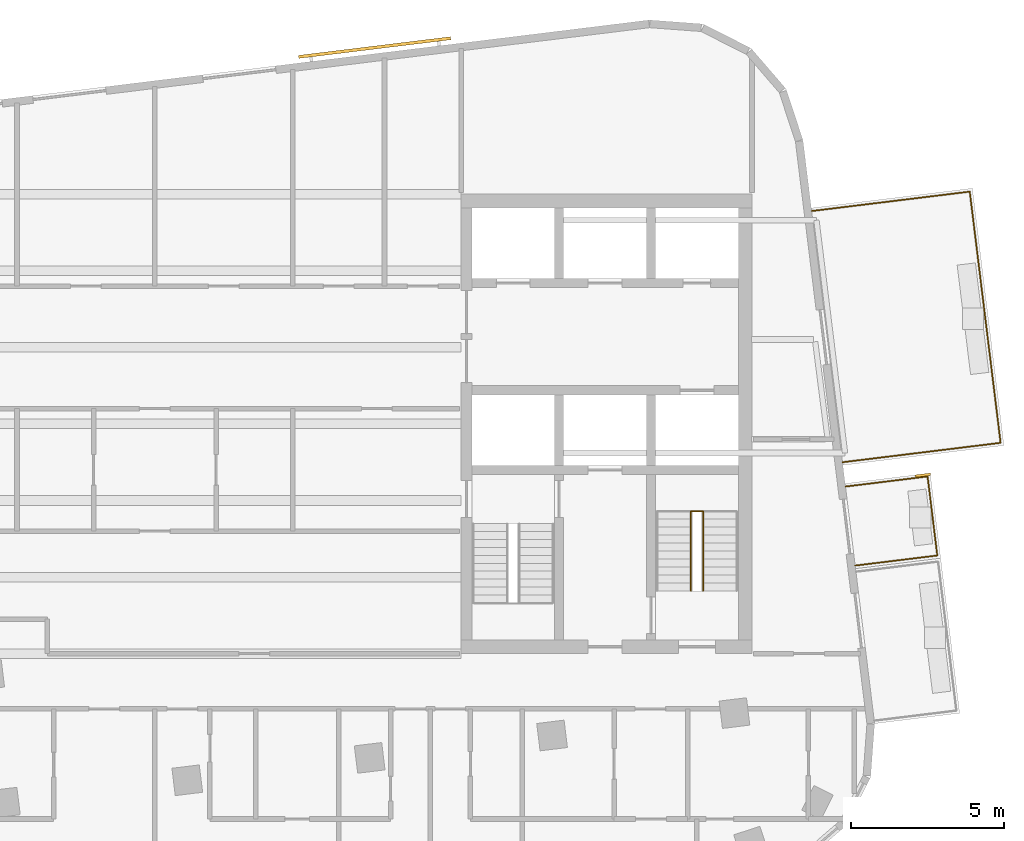
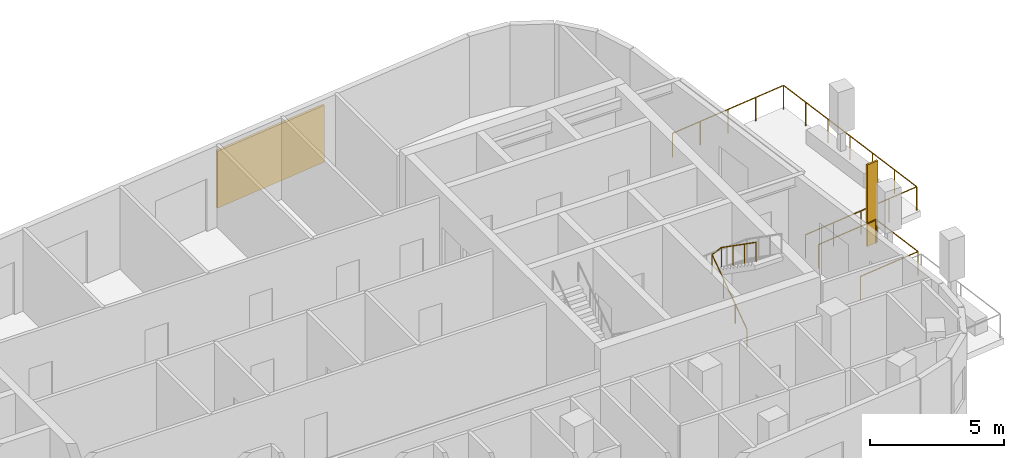
# One storey, part 10 of 11: 3 railings, 2 shading devices.
"""IFC4 building model written with IfcOpenShell, lengths in metres."""

from ifc_helpers import new_model, si_unit, direction, frame, origin, origin_2d, place, context, subcontext, project, spatial, rectangle, circle, extrude, material, layer, layer_set, type_object, element, save


model = new_model("IFC4")

# Units and contexts
model_context = context("Model", 3, precision=1e-05, world=origin(), true_north=direction((0.0, 1.0)))
body_context = subcontext(model_context, "Body", "Model", "MODEL_VIEW")
ifc_project = project(units=[si_unit("LENGTHUNIT", "METRE"), si_unit("AREAUNIT", "SQUARE_METRE"), si_unit("VOLUMEUNIT", "CUBIC_METRE"), si_unit("PLANEANGLEUNIT", "RADIAN"), si_unit("MASSUNIT", "GRAM", prefix="KILO")], contexts=[model_context])

# Site, building, storey
site_placement = place(None, origin())
site = spatial("IfcSite", under=ifc_project, at=site_placement, CompositionType="ELEMENT")
building_placement = place(site_placement, origin())
building = spatial("IfcBuilding", under=site, at=building_placement, Name="Torana Hotel and Residences", CompositionType="ELEMENT")
storey_placement = place(building_placement, frame((0.0, 0.0, 326.60009765625)))
storey = spatial("IfcBuildingStorey", under=building, at=storey_placement, Name="L86", CompositionType="ELEMENT", Elevation=326.60009765625)

# Shading device
ifc_material_1 = material(Name="Black powder coated aluminium", Category="aluminium")
ifc_layer_1 = layer(ifc_material_1, 0.080078125)
ifc_layer_set_1 = layer_set([ifc_layer_1], Name="FN1 VERTICAL FIN 500x80")
shading_device_type_1 = type_object("IfcShadingDeviceType", Name="FN1 VERTICAL FIN 500x80", PredefinedType="USERDEFINED", material=ifc_layer_set_1)
shading_device_1_placement = place(storey_placement, frame((25.075439453125, -9.17431640625, 0.0), z_axis=(0.0, 0.0, 1.0), x_axis=(0.121867611085, -0.992546364342, 0.0)))
element("IfcShadingDevice", 1, at=shading_device_1_placement, inside=storey, type_object=shading_device_type_1, Name="Fin 11", ObjectType="FIN", PredefinedType="USERDEFINED", context=body_context, shape_type="SweptSolid", body=[
    extrude(rectangle(XDim=0.080078125, YDim=0.5, at=origin_2d()), origin(), (0.0, 0.0, 1.0), 3.719970703125),
])

# Railings
ifc_material_2 = material(Name="Laminated glass balustrade with black handrail", Category="glass")
railing_type_1 = type_object("IfcRailingType", Name="GR1 BALCONY GUARD 1100 GLASS", PredefinedType="GUARDRAIL", material=ifc_material_2)
railing_1_placement = place(storey_placement, frame((22.5517578125, -9.544921875, 0.0)))
element("IfcRailing", 2, at=railing_1_placement, inside=storey, type_object=railing_type_1, Name="Balcony guard 11", PredefinedType="GUARDRAIL", context=body_context, shape_type="SweptSolid", body=[
    extrude(circle(Radius=0.02392578125, at=origin_2d()), frame((0.0, 0.0, 1.076171875), z_axis=(0.992544031017, 0.121886613265, 0.0), x_axis=(-0.121886613265, 0.992544031017, 0.0)), (0.0, 0.0, 1.0), 2.699951171875),
    extrude(circle(Radius=0.02392578125, at=origin_2d()), frame((2.679931640625, 0.3291015625, 1.076171875), z_axis=(0.121803653798, -0.992554215104, 0.0), x_axis=(0.992554215104, 0.121803653798, 0.0)), (0.0, 0.0, 1.0), 2.599609375),
    extrude(circle(Radius=0.02392578125, at=origin_2d()), frame((2.99658203125, -2.251220703125, 1.076171875), z_axis=(-0.992554965996, -0.121797534772, 0.0), x_axis=(0.121797534772, -0.992554965996, 0.0)), (0.0, 0.0, 1.0), 2.699951171875),
    extrude(circle(Radius=0.02099609375, at=origin_2d()), origin(), (0.0, 0.0, 1.0), 1.052001953125),
    extrude(circle(Radius=0.02099609375, at=origin_2d()), frame((2.679931640625, 0.3291015625, 0.0)), (0.0, 0.0, 1.0), 1.052001953125),
    extrude(circle(Radius=0.02099609375, at=origin_2d()), frame((2.99658203125, -2.251220703125, 0.0)), (0.0, 0.0, 1.0), 1.052001953125),
    extrude(circle(Radius=0.02099609375, at=origin_2d()), frame((0.316650390625, -2.580078125, 0.0)), (0.0, 0.0, 1.0), 1.052001953125),
])
railing_2_placement = place(storey_placement, frame((21.447265625, -0.54931640625, 0.0)))
element("IfcRailing", 3, at=railing_2_placement, inside=storey, type_object=railing_type_1, Name="Balcony guard 12", PredefinedType="GUARDRAIL", context=body_context, shape_type="SweptSolid", body=[
    extrude(circle(Radius=0.02392578125, at=origin_2d()), frame((0.0, 0.0, 1.076171875), z_axis=(0.992544252483, 0.121884809813, 0.0), x_axis=(-0.121884809813, 0.992544252483, 0.0)), (0.0, 0.0, 1.0), 5.199951171875),
    extrude(circle(Radius=0.02392578125, at=origin_2d()), frame((5.1611328125, 0.6337890625, 1.076171875), z_axis=(0.121878024543, -0.992545085693, 0.0), x_axis=(0.992545085693, 0.121878024543, 0.0)), (0.0, 0.0, 1.0), 8.262939453125),
    extrude(circle(Radius=0.02392578125, at=origin_2d()), frame((6.168212890625, -7.567626953125, 1.076171875), z_axis=(-0.992544949934, -0.121879130128, 0.0), x_axis=(0.121879130128, -0.992544949934, 0.0)), (0.0, 0.0, 1.0), 5.2001953125),
    extrude(circle(Radius=0.02099609375, at=origin_2d()), origin(), (0.0, 0.0, 1.0), 1.052001953125),
    extrude(circle(Radius=0.02099609375, at=origin_2d()), frame((1.290283203125, 0.158447265625, 0.0)), (0.0, 0.0, 1.0), 1.052001953125),
    extrude(circle(Radius=0.02099609375, at=origin_2d()), frame((2.58056640625, 0.31689453125, 0.0)), (0.0, 0.0, 1.0), 1.052001953125),
    extrude(circle(Radius=0.02099609375, at=origin_2d()), frame((3.870849609375, 0.475341796875, 0.0)), (0.0, 0.0, 1.0), 1.052001953125),
    extrude(circle(Radius=0.02099609375, at=origin_2d()), frame((5.1611328125, 0.6337890625, 0.0)), (0.0, 0.0, 1.0), 1.052001953125),
    extrude(circle(Radius=0.02099609375, at=origin_2d()), frame((5.3291015625, -0.733154296875, 0.0)), (0.0, 0.0, 1.0), 1.052001953125),
    extrude(circle(Radius=0.02099609375, at=origin_2d()), frame((5.496826171875, -2.10009765625, 0.0)), (0.0, 0.0, 1.0), 1.052001953125),
    extrude(circle(Radius=0.02099609375, at=origin_2d()), frame((5.66455078125, -3.466796875, 0.0)), (0.0, 0.0, 1.0), 1.052001953125),
    extrude(circle(Radius=0.02099609375, at=origin_2d()), frame((5.83251953125, -4.833740234375, 0.0)), (0.0, 0.0, 1.0), 1.052001953125),
    extrude(circle(Radius=0.02099609375, at=origin_2d()), frame((6.00048828125, -6.20068359375, 0.0)), (0.0, 0.0, 1.0), 1.052001953125),
    extrude(circle(Radius=0.02099609375, at=origin_2d()), frame((6.168212890625, -7.567626953125, 0.0)), (0.0, 0.0, 1.0), 1.052001953125),
    extrude(circle(Radius=0.02099609375, at=origin_2d()), frame((4.8779296875, -7.72607421875, 0.0)), (0.0, 0.0, 1.0), 1.052001953125),
    extrude(circle(Radius=0.02099609375, at=origin_2d()), frame((3.58740234375, -7.884521484375, 0.0)), (0.0, 0.0, 1.0), 1.052001953125),
    extrude(circle(Radius=0.02099609375, at=origin_2d()), frame((2.297119140625, -8.04296875, 0.0)), (0.0, 0.0, 1.0), 1.052001953125),
    extrude(circle(Radius=0.02099609375, at=origin_2d()), frame((1.0068359375, -8.201416015625, 0.0)), (0.0, 0.0, 1.0), 1.052001953125),
])

# Shading device
ifc_material_3 = material(Name="Concrete C40/50 precast", Category="concrete")
ifc_layer_2 = layer(ifc_material_3, 0.10009765625)
ifc_layer_set_2 = layer_set([ifc_layer_2], Name="SC1 PERFORATED BLOCK SCREEN PANEL 100")
shading_device_type_2 = type_object("IfcShadingDeviceType", Name="SC1 PERFORATED BLOCK SCREEN PANEL 100", PredefinedType="USERDEFINED", material=ifc_layer_set_2)
shading_device_2_placement = place(storey_placement, frame((7.177978515625, 4.788818359375, 0.499755859375), z_axis=(0.0, 0.0, 1.0), x_axis=(-0.99254657704, -0.121865878765, 0.0)))
element("IfcShadingDevice", 4, at=shading_device_2_placement, inside=storey, type_object=shading_device_type_2, Name="Perforated block screen L86", ObjectType="SCREEN", PredefinedType="USERDEFINED", context=body_context, shape_type="SweptSolid", body=[
    extrude(rectangle(XDim=5.0, YDim=0.10009765625, at=origin_2d()), origin(), (0.0, 0.0, 1.0), 2.60009765625),
])

# Railing
ifc_material_4 = material(Name="Stainless steel 316", Category="steel")
railing_type_2 = type_object("IfcRailingType", Name="STAIR HANDRAIL HR1 900", PredefinedType="HANDRAIL", material=ifc_material_4)
railing_3_placement = place(storey_placement, frame((17.5, -12.949951171875, 0.181640625)))
element("IfcRailing", 5, at=railing_3_placement, inside=storey, type_object=railing_type_2, Name="Handrail ST4 L86 I1", PredefinedType="HANDRAIL", context=body_context, shape_type="SweptSolid", body=[
    extrude(circle(Radius=0.02392578125, at=origin_2d()), frame((0.0, 0.0, 0.8759765625), z_axis=(0.0, 0.819459612548, 0.573136932506), x_axis=(-1.0, 0.0, 0.0)), (0.0, 0.0, 1.0), 3.172607421875),
    extrude(circle(Radius=0.02392578125, at=origin_2d()), frame((0.0, 2.599853515625, 2.6943359375), z_axis=(0.910480658332, 0.0, 0.413551654334), x_axis=(0.0, 1.0, 0.0)), (0.0, 0.0, 1.0), 0.439208984375),
    extrude(circle(Radius=0.02392578125, at=origin_2d()), frame((0.39990234375, 2.599853515625, 2.8759765625), z_axis=(0.0, -0.819459612548, 0.573136932506), x_axis=(1.0, 0.0, 0.0)), (0.0, 0.0, 1.0), 3.172607421875),
    extrude(circle(Radius=0.02099609375, at=origin_2d()), origin(), (0.0, 0.0, 1.0), 0.851806640625),
    extrude(circle(Radius=0.02099609375, at=origin_2d()), frame((0.0, 0.86669921875, 0.606201171875)), (0.0, 0.0, 1.0), 0.851806640625),
    extrude(circle(Radius=0.02099609375, at=origin_2d()), frame((0.0, 1.733154296875, 1.212158203125)), (0.0, 0.0, 1.0), 0.851806640625),
    extrude(circle(Radius=0.02099609375, at=origin_2d()), frame((0.0, 2.599853515625, 1.818359375)), (0.0, 0.0, 1.0), 0.851806640625),
    extrude(circle(Radius=0.02099609375, at=origin_2d()), frame((0.39990234375, 2.599853515625, 2.0)), (0.0, 0.0, 1.0), 0.851806640625),
    extrude(circle(Radius=0.02099609375, at=origin_2d()), frame((0.39990234375, 1.733154296875, 2.606201171875)), (0.0, 0.0, 1.0), 0.851806640625),
    extrude(circle(Radius=0.02099609375, at=origin_2d()), frame((0.39990234375, 0.86669921875, 3.212158203125)), (0.0, 0.0, 1.0), 0.851806640625),
    extrude(circle(Radius=0.02099609375, at=origin_2d()), frame((0.39990234375, 0.0, 3.818359375)), (0.0, 0.0, 1.0), 0.851806640625),
])

save(model, "model.ifc")
